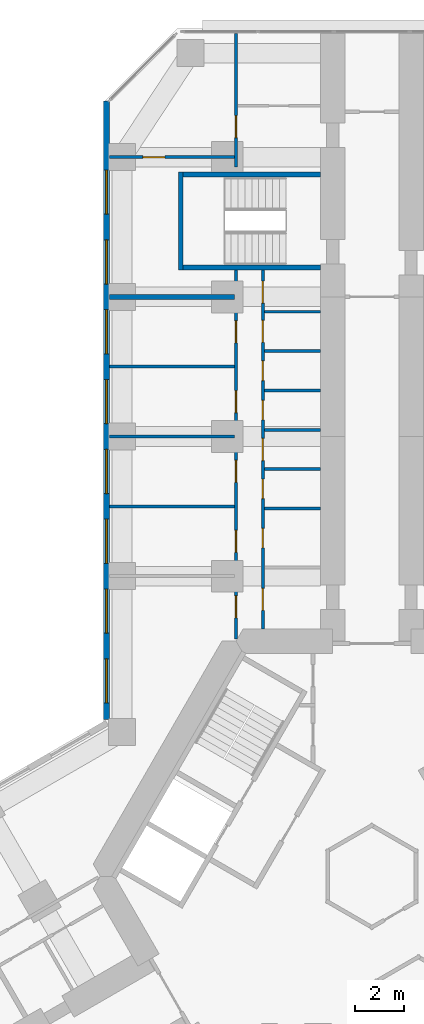
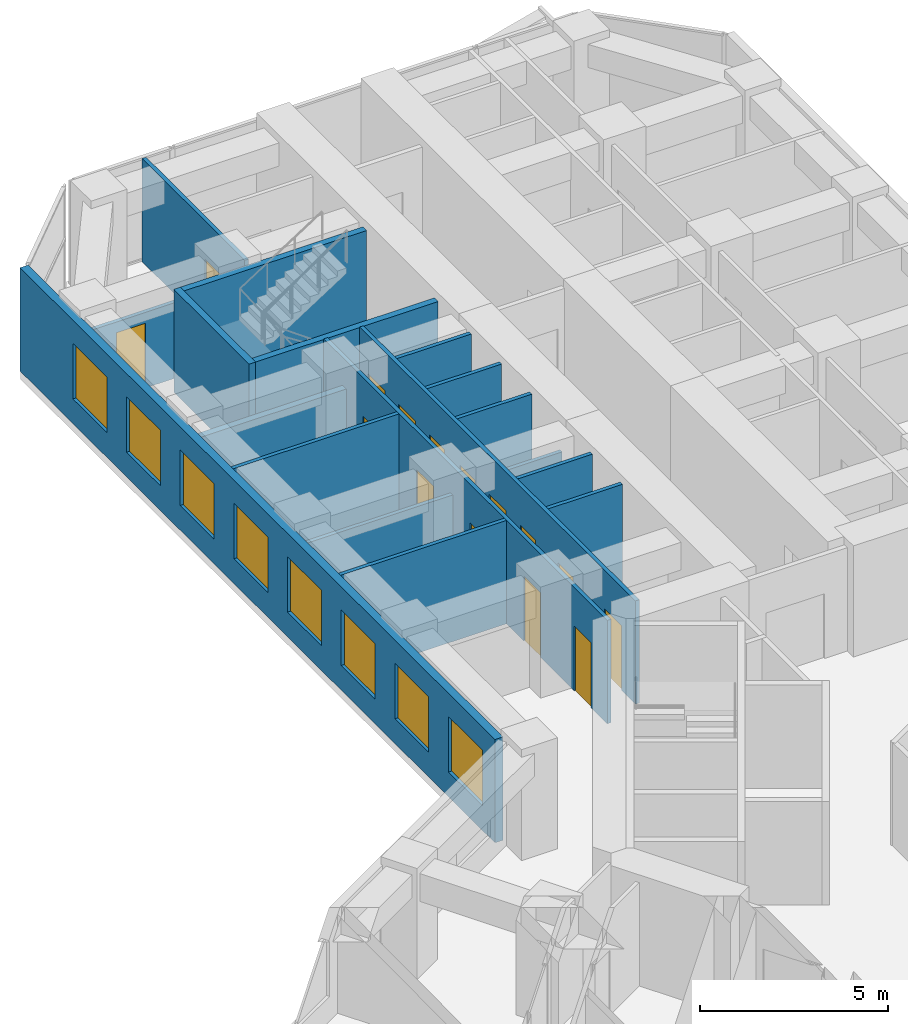
# One storey, part 17 of 21: 18 walls, 15 doors, 8 windows, 23 openings.
"""IFC4 building model written with IfcOpenShell, lengths in metres."""

from ifc_helpers import new_model, si_unit, direction, frame, frame_2d, origin, place, context, subcontext, project, spatial, rectangle, extrude, material, layer, layer_set, type_object, element, fill, save


model = new_model("IFC4")

# Units and contexts
model_context = context("Model", 3, precision=1e-05, world=origin(), true_north=direction((0.0, 1.0)))
body_context = subcontext(model_context, "Body", "Model", "MODEL_VIEW")
ifc_project = project(units=[si_unit("LENGTHUNIT", "METRE"), si_unit("AREAUNIT", "SQUARE_METRE"), si_unit("VOLUMEUNIT", "CUBIC_METRE"), si_unit("PLANEANGLEUNIT", "RADIAN"), si_unit("MASSUNIT", "GRAM", prefix="KILO")], contexts=[model_context])

# Site, building, storey
site_placement = place(None, origin())
site = spatial("IfcSite", under=ifc_project, at=site_placement, CompositionType="ELEMENT")
building_placement = place(site_placement, origin())
building = spatial("IfcBuilding", under=site, at=building_placement, Name="Kosmar Iwan School Tower", CompositionType="ELEMENT")
storey_placement = place(building_placement, frame((0.0, 0.0, 43.0)))
storey = spatial("IfcBuildingStorey", under=building, at=storey_placement, Name="L09", CompositionType="ELEMENT", Elevation=43.0)

# Wall, openings, doors
ifc_material_1 = material(Name="Gypsum board on steel studs", Category="steel")
ifc_layer_1 = layer(ifc_material_1, 0.1201171875)
ifc_layer_set_1 = layer_set([ifc_layer_1], Name="Dwelling partition 120")
wall_type_1 = type_object("IfcWallType", Name="Dwelling partition 120", PredefinedType="PARTITIONING", material=ifc_layer_set_1)
wall_1_placement = place(storey_placement, frame((-4.449951171875, 10.10009765625, 0.0), z_axis=(0.0, 0.0, 1.0), x_axis=(0.0, 1.0, 0.0)))
wall_1 = element("IfcWall", 1, at=wall_1_placement, inside=storey, type_object=wall_type_1, Name="Partition L09-AL1-W1", PredefinedType="PARTITIONING", context=body_context, shape_type="SweptSolid", body=[
    extrude(rectangle(XDim=14.64990234375, YDim=0.1201171875, at=frame_2d((7.324951171875, 0.0))), origin(), (0.0, 0.0, 1.0), 3.35009765625),
])
opening_1_placement = place(wall_1_placement, frame((0.75, 0.0, 0.0)))
opening_1 = element("IfcOpeningElement", 2, at=opening_1_placement, cuts=wall_1, Name="Opening D2", PredefinedType="OPENING", context=body_context, shape_type="SweptSolid", body=[
    extrude(rectangle(XDim=0.89990234375, YDim=2.10009765625, at=frame_2d((0.449951171875, 1.050048828125))), frame((0.0, 0.072021484375, 0.0), z_axis=(0.0, -1.0, 0.0), x_axis=(1.0, 0.0, 0.0)), (0.0, 0.0, 1.0), 0.14404296875),
])
opening_2_placement = place(wall_1_placement, frame((3.304931640625, 0.0, 0.0)))
opening_2 = element("IfcOpeningElement", 3, at=opening_2_placement, cuts=wall_1, Name="Opening D3", PredefinedType="OPENING", context=body_context, shape_type="SweptSolid", body=[
    extrude(rectangle(XDim=0.800048828125, YDim=2.10009765625, at=frame_2d((0.39990234375, 1.050048828125))), frame((0.0, 0.072021484375, 0.0), z_axis=(0.0, -1.0, 0.0), x_axis=(1.0, 0.0, 0.0)), (0.0, 0.0, 1.0), 0.14404296875),
])
opening_3_placement = place(wall_1_placement, frame((5.313232421875, 0.0, 0.0)))
opening_3 = element("IfcOpeningElement", 4, at=opening_3_placement, cuts=wall_1, Name="Opening D3", PredefinedType="OPENING", context=body_context, shape_type="SweptSolid", body=[
    extrude(rectangle(XDim=0.800048828125, YDim=2.10009765625, at=frame_2d((0.39990234375, 1.050048828125))), frame((0.0, 0.072021484375, 0.0), z_axis=(0.0, -1.0, 0.0), x_axis=(1.0, 0.0, 0.0)), (0.0, 0.0, 1.0), 0.14404296875),
])
opening_4_placement = place(wall_1_placement, frame((6.8701171875, 0.0, 0.0)))
opening_4 = element("IfcOpeningElement", 5, at=opening_4_placement, cuts=wall_1, Name="Opening D2", PredefinedType="OPENING", context=body_context, shape_type="SweptSolid", body=[
    extrude(rectangle(XDim=0.89990234375, YDim=2.10009765625, at=frame_2d((0.449951171875, 1.050048828125))), frame((0.0, 0.072021484375, 0.0), z_axis=(0.0, -1.0, 0.0), x_axis=(1.0, 0.0, 0.0)), (0.0, 0.0, 1.0), 0.14404296875),
])
opening_5_placement = place(wall_1_placement, frame((8.526611328125, 0.0, 0.0)))
opening_5 = element("IfcOpeningElement", 6, at=opening_5_placement, cuts=wall_1, Name="Opening D3", PredefinedType="OPENING", context=body_context, shape_type="SweptSolid", body=[
    extrude(rectangle(XDim=0.800048828125, YDim=2.10009765625, at=frame_2d((0.39990234375, 1.050048828125))), frame((0.0, 0.072021484375, 0.0), z_axis=(0.0, -1.0, 0.0), x_axis=(1.0, 0.0, 0.0)), (0.0, 0.0, 1.0), 0.14404296875),
])
opening_6_placement = place(wall_1_placement, frame((10.13330078125, 0.0, 0.0)))
opening_6 = element("IfcOpeningElement", 7, at=opening_6_placement, cuts=wall_1, Name="Opening D3", PredefinedType="OPENING", context=body_context, shape_type="SweptSolid", body=[
    extrude(rectangle(XDim=0.800048828125, YDim=2.10009765625, at=frame_2d((0.39990234375, 1.050048828125))), frame((0.0, 0.072021484375, 0.0), z_axis=(0.0, -1.0, 0.0), x_axis=(1.0, 0.0, 0.0)), (0.0, 0.0, 1.0), 0.14404296875),
])
opening_7_placement = place(wall_1_placement, frame((11.68994140625, 0.0, 0.0)))
opening_7 = element("IfcOpeningElement", 8, at=opening_7_placement, cuts=wall_1, Name="Opening D2", PredefinedType="OPENING", context=body_context, shape_type="SweptSolid", body=[
    extrude(rectangle(XDim=0.89990234375, YDim=2.10009765625, at=frame_2d((0.449951171875, 1.050048828125))), frame((0.0, 0.072021484375, 0.0), z_axis=(0.0, -1.0, 0.0), x_axis=(1.0, 0.0, 0.0)), (0.0, 0.0, 1.0), 0.14404296875),
])
opening_8_placement = place(wall_1_placement, frame((13.296630859375, 0.0, 0.0)))
opening_8 = element("IfcOpeningElement", 9, at=opening_8_placement, cuts=wall_1, Name="Opening D2", PredefinedType="OPENING", context=body_context, shape_type="SweptSolid", body=[
    extrude(rectangle(XDim=0.89990234375, YDim=2.10009765625, at=frame_2d((0.449951171875, 1.050048828125))), frame((0.0, 0.072021484375, 0.0), z_axis=(0.0, -1.0, 0.0), x_axis=(1.0, 0.0, 0.0)), (0.0, 0.0, 1.0), 0.14404296875),
])
ifc_material_2 = material(Name="Timber door in timber frame", Category="wood")
door_type_1 = type_object("IfcDoorType", Name="Internal door 900x2100", OperationType="SINGLE_SWING_LEFT", PredefinedType="DOOR", material=ifc_material_2)
door_1_placement = place(opening_1_placement, origin())
door_1 = element("IfcDoor", 10, at=door_1_placement, inside=storey, type_object=door_type_1, Name="Entrance hall door L09-AL1-S1", OperationType="SINGLE_SWING_LEFT", OverallHeight=2.10009765625, OverallWidth=0.89990234375, PredefinedType="DOOR", context=body_context, shape_type="SweptSolid", body=[
    extrude(rectangle(XDim=0.89990234375, YDim=2.10009765625, at=frame_2d((0.449951171875, 1.050048828125))), frame((0.0, 0.02490234375, 0.0), z_axis=(0.0, -1.0, 0.0), x_axis=(1.0, 0.0, 0.0)), (0.0, 0.0, 1.0), 0.050048828125),
])
fill(opening_1, door_1)
door_2_placement = place(opening_4_placement, frame((0.89990234375, 0.0, 0.0), z_axis=(0.0, 0.0, 1.0), x_axis=(-1.0, 0.0, 0.0)))
door_2 = element("IfcDoor", 11, at=door_2_placement, inside=storey, type_object=door_type_1, Name="Pantry door L09-AL1-S4", OperationType="SINGLE_SWING_LEFT", OverallHeight=2.10009765625, OverallWidth=0.89990234375, PredefinedType="DOOR", context=body_context, shape_type="SweptSolid", body=[
    extrude(rectangle(XDim=0.89990234375, YDim=2.10009765625, at=frame_2d((0.449951171875, 1.050048828125))), frame((0.0, 0.02490234375, 0.0), z_axis=(0.0, -1.0, 0.0), x_axis=(1.0, 0.0, 0.0)), (0.0, 0.0, 1.0), 0.050048828125),
])
fill(opening_4, door_2)
door_3_placement = place(opening_7_placement, origin())
door_3 = element("IfcDoor", 12, at=door_3_placement, inside=storey, type_object=door_type_1, Name="Utility room door L09-AL1-S7", OperationType="SINGLE_SWING_RIGHT", OverallHeight=2.10009765625, OverallWidth=0.89990234375, PredefinedType="DOOR", context=body_context, shape_type="SweptSolid", body=[
    extrude(rectangle(XDim=0.89990234375, YDim=2.10009765625, at=frame_2d((0.449951171875, 1.050048828125))), frame((0.0, 0.02490234375, 0.0), z_axis=(0.0, -1.0, 0.0), x_axis=(1.0, 0.0, 0.0)), (0.0, 0.0, 1.0), 0.050048828125),
])
fill(opening_7, door_3)
door_4_placement = place(opening_8_placement, frame((0.89990234375, 0.0, 0.0), z_axis=(0.0, 0.0, 1.0), x_axis=(-1.0, 0.0, 0.0)))
door_4 = element("IfcDoor", 13, at=door_4_placement, inside=storey, type_object=door_type_1, Name="Dressing room door L09-AL1-S8", OperationType="SINGLE_SWING_LEFT", OverallHeight=2.10009765625, OverallWidth=0.89990234375, PredefinedType="DOOR", context=body_context, shape_type="SweptSolid", body=[
    extrude(rectangle(XDim=0.89990234375, YDim=2.10009765625, at=frame_2d((0.449951171875, 1.050048828125))), frame((0.0, 0.02490234375, 0.0), z_axis=(0.0, -1.0, 0.0), x_axis=(1.0, 0.0, 0.0)), (0.0, 0.0, 1.0), 0.050048828125),
])
fill(opening_8, door_4)
ifc_material_3 = material(Name="Timber door in timber frame", Category="wood")
door_type_2 = type_object("IfcDoorType", Name="Sanitary room door 800x2100", OperationType="SINGLE_SWING_LEFT", PredefinedType="DOOR", material=ifc_material_3)
door_5_placement = place(opening_2_placement, origin())
door_5 = element("IfcDoor", 14, at=door_5_placement, inside=storey, type_object=door_type_2, Name="Bathroom door L09-AL1-S2", OperationType="SINGLE_SWING_LEFT", OverallHeight=2.10009765625, OverallWidth=0.800048828125, PredefinedType="DOOR", context=body_context, shape_type="SweptSolid", body=[
    extrude(rectangle(XDim=0.800048828125, YDim=2.10009765625, at=frame_2d((0.39990234375, 1.050048828125))), frame((0.0, 0.02490234375, 0.0), z_axis=(0.0, -1.0, 0.0), x_axis=(1.0, 0.0, 0.0)), (0.0, 0.0, 1.0), 0.050048828125),
])
fill(opening_2, door_5)
door_6_placement = place(opening_3_placement, origin())
door_6 = element("IfcDoor", 15, at=door_6_placement, inside=storey, type_object=door_type_2, Name="Shower room door L09-AL1-S3", OperationType="SINGLE_SWING_LEFT", OverallHeight=2.10009765625, OverallWidth=0.800048828125, PredefinedType="DOOR", context=body_context, shape_type="SweptSolid", body=[
    extrude(rectangle(XDim=0.800048828125, YDim=2.10009765625, at=frame_2d((0.39990234375, 1.050048828125))), frame((0.0, 0.02490234375, 0.0), z_axis=(0.0, -1.0, 0.0), x_axis=(1.0, 0.0, 0.0)), (0.0, 0.0, 1.0), 0.050048828125),
])
fill(opening_3, door_6)
door_7_placement = place(opening_5_placement, origin())
door_7 = element("IfcDoor", 16, at=door_7_placement, inside=storey, type_object=door_type_2, Name="WC door L09-AL1-S5", OperationType="SINGLE_SWING_RIGHT", OverallHeight=2.10009765625, OverallWidth=0.800048828125, PredefinedType="DOOR", context=body_context, shape_type="SweptSolid", body=[
    extrude(rectangle(XDim=0.800048828125, YDim=2.10009765625, at=frame_2d((0.39990234375, 1.050048828125))), frame((0.0, 0.02490234375, 0.0), z_axis=(0.0, -1.0, 0.0), x_axis=(1.0, 0.0, 0.0)), (0.0, 0.0, 1.0), 0.050048828125),
])
fill(opening_5, door_7)
door_8_placement = place(opening_6_placement, origin())
door_8 = element("IfcDoor", 17, at=door_8_placement, inside=storey, type_object=door_type_2, Name="Store door L09-AL1-S6", OperationType="SINGLE_SWING_RIGHT", OverallHeight=2.10009765625, OverallWidth=0.800048828125, PredefinedType="DOOR", context=body_context, shape_type="SweptSolid", body=[
    extrude(rectangle(XDim=0.800048828125, YDim=2.10009765625, at=frame_2d((0.39990234375, 1.050048828125))), frame((0.0, 0.02490234375, 0.0), z_axis=(0.0, -1.0, 0.0), x_axis=(1.0, 0.0, 0.0)), (0.0, 0.0, 1.0), 0.050048828125),
])
fill(opening_6, door_8)

wall_2_placement = place(storey_placement, frame((-5.550048828125, 9.69091796875, 0.0), z_axis=(0.0, 0.0, 1.0), x_axis=(0.0, 1.0, 0.0)))
wall_2 = element("IfcWall", 18, at=wall_2_placement, inside=storey, type_object=wall_type_1, Name="Partition L09-AL1-W2", PredefinedType="PARTITIONING", context=body_context, shape_type="SweptSolid", body=[
    extrude(rectangle(XDim=15.05908203125, YDim=0.1201171875, at=frame_2d((7.529541015625, 0.0))), origin(), (0.0, 0.0, 1.0), 3.35009765625),
])
opening_9_placement = place(wall_2_placement, frame((0.85888671875, 0.0, 0.0)))
opening_9 = element("IfcOpeningElement", 19, at=opening_9_placement, cuts=wall_2, Name="Opening D2", PredefinedType="OPENING", context=body_context, shape_type="SweptSolid", body=[
    extrude(rectangle(XDim=0.89990234375, YDim=2.10009765625, at=frame_2d((0.449951171875, 1.050048828125))), frame((0.0, 0.072021484375, 0.0), z_axis=(0.0, -1.0, 0.0), x_axis=(1.0, 0.0, 0.0)), (0.0, 0.0, 1.0), 0.14404296875),
])
opening_10_placement = place(wall_2_placement, frame((3.533935546875, 0.0, 0.0)))
opening_10 = element("IfcOpeningElement", 20, at=opening_10_placement, cuts=wall_2, Name="Opening D2", PredefinedType="OPENING", context=body_context, shape_type="SweptSolid", body=[
    extrude(rectangle(XDim=0.89990234375, YDim=2.10009765625, at=frame_2d((0.449951171875, 1.050048828125))), frame((0.0, 0.072021484375, 0.0), z_axis=(0.0, -1.0, 0.0), x_axis=(1.0, 0.0, 0.0)), (0.0, 0.0, 1.0), 0.14404296875),
])
opening_11_placement = place(wall_2_placement, frame((6.384033203125, 0.0, 0.0)))
opening_11 = element("IfcOpeningElement", 21, at=opening_11_placement, cuts=wall_2, Name="Opening D2", PredefinedType="OPENING", context=body_context, shape_type="SweptSolid", body=[
    extrude(rectangle(XDim=0.89990234375, YDim=2.10009765625, at=frame_2d((0.449951171875, 1.050048828125))), frame((0.0, 0.072021484375, 0.0), z_axis=(0.0, -1.0, 0.0), x_axis=(1.0, 0.0, 0.0)), (0.0, 0.0, 1.0), 0.14404296875),
])
opening_12_placement = place(wall_2_placement, frame((9.23388671875, 0.0, 0.0)))
opening_12 = element("IfcOpeningElement", 22, at=opening_12_placement, cuts=wall_2, Name="Opening D2", PredefinedType="OPENING", context=body_context, shape_type="SweptSolid", body=[
    extrude(rectangle(XDim=0.89990234375, YDim=2.10009765625, at=frame_2d((0.449951171875, 1.050048828125))), frame((0.0, 0.072021484375, 0.0), z_axis=(0.0, -1.0, 0.0), x_axis=(1.0, 0.0, 0.0)), (0.0, 0.0, 1.0), 0.14404296875),
])
opening_13_placement = place(wall_2_placement, frame((12.083984375, 0.0, 0.0)))
opening_13 = element("IfcOpeningElement", 23, at=opening_13_placement, cuts=wall_2, Name="Opening D2", PredefinedType="OPENING", context=body_context, shape_type="SweptSolid", body=[
    extrude(rectangle(XDim=0.89990234375, YDim=2.10009765625, at=frame_2d((0.449951171875, 1.050048828125))), frame((0.0, 0.072021484375, 0.0), z_axis=(0.0, -1.0, 0.0), x_axis=(1.0, 0.0, 0.0)), (0.0, 0.0, 1.0), 0.14404296875),
])
door_9_placement = place(opening_9_placement, origin())
door_9 = element("IfcDoor", 24, at=door_9_placement, inside=storey, type_object=door_type_1, Name="Living room and kitchen door L09-AL1-F1", OperationType="SINGLE_SWING_LEFT", OverallHeight=2.10009765625, OverallWidth=0.89990234375, PredefinedType="DOOR", context=body_context, shape_type="SweptSolid", body=[
    extrude(rectangle(XDim=0.89990234375, YDim=2.10009765625, at=frame_2d((0.449951171875, 1.050048828125))), frame((0.0, 0.02490234375, 0.0), z_axis=(0.0, -1.0, 0.0), x_axis=(1.0, 0.0, 0.0)), (0.0, 0.0, 1.0), 0.050048828125),
])
fill(opening_9, door_9)
door_10_placement = place(opening_10_placement, origin())
door_10 = element("IfcDoor", 25, at=door_10_placement, inside=storey, type_object=door_type_1, Name="Study door L09-AL1-F2", OperationType="SINGLE_SWING_RIGHT", OverallHeight=2.10009765625, OverallWidth=0.89990234375, PredefinedType="DOOR", context=body_context, shape_type="SweptSolid", body=[
    extrude(rectangle(XDim=0.89990234375, YDim=2.10009765625, at=frame_2d((0.449951171875, 1.050048828125))), frame((0.0, 0.02490234375, 0.0), z_axis=(0.0, -1.0, 0.0), x_axis=(1.0, 0.0, 0.0)), (0.0, 0.0, 1.0), 0.050048828125),
])
fill(opening_10, door_10)
door_11_placement = place(opening_11_placement, origin())
door_11 = element("IfcDoor", 26, at=door_11_placement, inside=storey, type_object=door_type_1, Name="Bedroom 2 door L09-AL1-F3", OperationType="SINGLE_SWING_LEFT", OverallHeight=2.10009765625, OverallWidth=0.89990234375, PredefinedType="DOOR", context=body_context, shape_type="SweptSolid", body=[
    extrude(rectangle(XDim=0.89990234375, YDim=2.10009765625, at=frame_2d((0.449951171875, 1.050048828125))), frame((0.0, 0.02490234375, 0.0), z_axis=(0.0, -1.0, 0.0), x_axis=(1.0, 0.0, 0.0)), (0.0, 0.0, 1.0), 0.050048828125),
])
fill(opening_11, door_11)
door_12_placement = place(opening_12_placement, origin())
door_12 = element("IfcDoor", 27, at=door_12_placement, inside=storey, type_object=door_type_1, Name="Study door L09-AL1-F4", OperationType="SINGLE_SWING_RIGHT", OverallHeight=2.10009765625, OverallWidth=0.89990234375, PredefinedType="DOOR", context=body_context, shape_type="SweptSolid", body=[
    extrude(rectangle(XDim=0.89990234375, YDim=2.10009765625, at=frame_2d((0.449951171875, 1.050048828125))), frame((0.0, 0.02490234375, 0.0), z_axis=(0.0, -1.0, 0.0), x_axis=(1.0, 0.0, 0.0)), (0.0, 0.0, 1.0), 0.050048828125),
])
fill(opening_12, door_12)
door_13_placement = place(opening_13_placement, origin())
door_13 = element("IfcDoor", 28, at=door_13_placement, inside=storey, type_object=door_type_1, Name="Bedroom 1 door L09-AL1-F5", OperationType="SINGLE_SWING_LEFT", OverallHeight=2.10009765625, OverallWidth=0.89990234375, PredefinedType="DOOR", context=body_context, shape_type="SweptSolid", body=[
    extrude(rectangle(XDim=0.89990234375, YDim=2.10009765625, at=frame_2d((0.449951171875, 1.050048828125))), frame((0.0, 0.02490234375, 0.0), z_axis=(0.0, -1.0, 0.0), x_axis=(1.0, 0.0, 0.0)), (0.0, 0.0, 1.0), 0.050048828125),
])
fill(opening_13, door_13)

# Walls
wall_3_placement = place(storey_placement, frame((-5.610107421875, 15.10009765625, 0.0), z_axis=(0.0, 0.0, 1.0), x_axis=(-1.0, 0.0, 0.0)))
element("IfcWall", 29, at=wall_3_placement, inside=storey, type_object=wall_type_1, Name="Partition L09-AL1-X2", PredefinedType="PARTITIONING", context=body_context, shape_type="SweptSolid", body=[
    extrude(rectangle(XDim=5.08984375, YDim=0.1201171875, at=frame_2d((2.544921875, 0.0))), origin(), (0.0, 0.0, 1.0), 3.35009765625),
])
wall_4_placement = place(storey_placement, frame((-5.610107421875, 17.949951171875, 0.0), z_axis=(0.0, 0.0, 1.0), x_axis=(-1.0, 0.0, 0.0)))
element("IfcWall", 30, at=wall_4_placement, inside=storey, type_object=wall_type_1, Name="Partition L09-AL1-X3", PredefinedType="PARTITIONING", context=body_context, shape_type="SweptSolid", body=[
    extrude(rectangle(XDim=5.08984375, YDim=0.1201171875, at=frame_2d((2.544921875, 0.0))), origin(), (0.0, 0.0, 1.0), 2.449951171875),
])
wall_5_placement = place(storey_placement, frame((-5.610107421875, 20.800048828125, 0.0), z_axis=(0.0, 0.0, 1.0), x_axis=(-1.0, 0.0, 0.0)))
element("IfcWall", 31, at=wall_5_placement, inside=storey, type_object=wall_type_1, Name="Partition L09-AL1-X4", PredefinedType="PARTITIONING", context=body_context, shape_type="SweptSolid", body=[
    extrude(rectangle(XDim=5.08984375, YDim=0.1201171875, at=frame_2d((2.544921875, 0.0))), origin(), (0.0, 0.0, 1.0), 3.35009765625),
])
for number, where, z_axis, x_axis, name in (
    (32, (-2.10009765625, 15.010009765625, 0.0), (0.0, 0.0, 1.0), (-1.0, 0.0, 0.0), "Partition L09-AL1-Y2"),
    (33, (-2.10009765625, 16.61669921875, 0.0), (0.0, 0.0, 1.0), (-1.0, 0.0, 0.0), "Partition L09-AL1-Y3"),
):
    element("IfcWall", number, at=place(storey_placement, frame(where, z_axis=z_axis, x_axis=x_axis)), inside=storey, type_object=wall_type_1, Name=name, PredefinedType="PARTITIONING", context=body_context, shape_type="SweptSolid", body=[
        extrude(rectangle(XDim=2.289794921875, YDim=0.1201171875, at=frame_2d((1.14501953125, 0.0))), origin(), (0.0, 0.0, 1.0), 3.35009765625),
    ])
wall_6_placement = place(storey_placement, frame((-2.10009765625, 18.223388671875, 0.0), z_axis=(0.0, 0.0, 1.0), x_axis=(-1.0, 0.0, 0.0)))
element("IfcWall", 34, at=wall_6_placement, inside=storey, type_object=wall_type_1, Name="Partition L09-AL1-Y4", PredefinedType="PARTITIONING", context=body_context, shape_type="SweptSolid", body=[
    extrude(rectangle(XDim=2.289794921875, YDim=0.1201171875, at=frame_2d((1.14501953125, 0.0))), origin(), (0.0, 0.0, 1.0), 2.449951171875),
])
for number, where, z_axis, x_axis, name in (
    (35, (-2.10009765625, 19.830078125, 0.0), (0.0, 0.0, 1.0), (-1.0, 0.0, 0.0), "Partition L09-AL1-Y5"),
    (36, (-2.10009765625, 21.436767578125, 0.0), (0.0, 0.0, 1.0), (-1.0, 0.0, 0.0), "Partition L09-AL1-Y6"),
    (37, (-2.10009765625, 23.043212890625, 0.0), (0.0, 0.0, 1.0), (-1.0, 0.0, 0.0), "Partition L09-AL1-Y7"),
):
    element("IfcWall", number, at=place(storey_placement, frame(where, z_axis=z_axis, x_axis=x_axis)), inside=storey, type_object=wall_type_1, Name=name, PredefinedType="PARTITIONING", context=body_context, shape_type="SweptSolid", body=[
        extrude(rectangle(XDim=2.289794921875, YDim=0.1201171875, at=frame_2d((1.14501953125, 0.0))), origin(), (0.0, 0.0, 1.0), 3.35009765625),
    ])

# Wall, opening, door
wall_7_placement = place(storey_placement, frame((-5.610107421875, 29.35009765625, 0.0), z_axis=(0.0, 0.0, 1.0), x_axis=(-1.0, 0.0, 0.0)))
wall_7 = element("IfcWall", 38, at=wall_7_placement, inside=storey, type_object=wall_type_1, Name="Partition L09-AL2-TX", PredefinedType="PARTITIONING", context=body_context, shape_type="SweptSolid", body=[
    extrude(rectangle(XDim=5.08984375, YDim=0.1201171875, at=frame_2d((2.544921875, 0.0))), origin(), (0.0, 0.0, 1.0), 2.449951171875),
])
opening_14_placement = place(wall_7_placement, frame((2.840087890625, 0.0, 0.0)))
opening_14 = element("IfcOpeningElement", 39, at=opening_14_placement, cuts=wall_7, Name="Opening D2", PredefinedType="OPENING", context=body_context, shape_type="SweptSolid", body=[
    extrude(rectangle(XDim=0.89990234375, YDim=2.10009765625, at=frame_2d((0.449951171875, 1.050048828125))), frame((0.0, 0.072021484375, 0.0), z_axis=(0.0, -1.0, 0.0), x_axis=(1.0, 0.0, 0.0)), (0.0, 0.0, 1.0), 0.14404296875),
])
door_14_placement = place(opening_14_placement, origin())
door_14 = element("IfcDoor", 40, at=door_14_placement, inside=storey, type_object=door_type_1, Name="Bedroom 1 door L09-AL2-T1", OperationType="SINGLE_SWING_RIGHT", OverallHeight=2.10009765625, OverallWidth=0.89990234375, PredefinedType="DOOR", context=body_context, shape_type="SweptSolid", body=[
    extrude(rectangle(XDim=0.89990234375, YDim=2.10009765625, at=frame_2d((0.449951171875, 1.050048828125))), frame((0.0, 0.02490234375, 0.0), z_axis=(0.0, -1.0, 0.0), x_axis=(1.0, 0.0, 0.0)), (0.0, 0.0, 1.0), 0.050048828125),
])
fill(opening_14, door_14)

wall_8_placement = place(storey_placement, frame((-5.550048828125, 28.949951171875, 0.0), z_axis=(0.0, 0.0, 1.0), x_axis=(0.0, 1.0, 0.0)))
wall_8 = element("IfcWall", 41, at=wall_8_placement, inside=storey, type_object=wall_type_1, Name="Partition L09-AL2-TW", PredefinedType="PARTITIONING", context=body_context, shape_type="SweptSolid", body=[
    extrude(rectangle(XDim=5.445068359375, YDim=0.1201171875, at=frame_2d((2.72265625, 0.0))), origin(), (0.0, 0.0, 1.0), 3.35009765625),
])
opening_15_placement = place(wall_8_placement, frame((1.199951171875, 0.0, 0.0)))
opening_15 = element("IfcOpeningElement", 42, at=opening_15_placement, cuts=wall_8, Name="Opening D2", PredefinedType="OPENING", context=body_context, shape_type="SweptSolid", body=[
    extrude(rectangle(XDim=0.89990234375, YDim=2.10009765625, at=frame_2d((0.449951171875, 1.050048828125))), frame((0.0, 0.072021484375, 0.0), z_axis=(0.0, -1.0, 0.0), x_axis=(1.0, 0.0, 0.0)), (0.0, 0.0, 1.0), 0.14404296875),
])
door_15_placement = place(opening_15_placement, origin())
door_15 = element("IfcDoor", 43, at=door_15_placement, inside=storey, type_object=door_type_1, Name="Entrance hall door L09-AL2-T3", OperationType="SINGLE_SWING_LEFT", OverallHeight=2.10009765625, OverallWidth=0.89990234375, PredefinedType="DOOR", context=body_context, shape_type="SweptSolid", body=[
    extrude(rectangle(XDim=0.89990234375, YDim=2.10009765625, at=frame_2d((0.449951171875, 1.050048828125))), frame((0.0, 0.02490234375, 0.0), z_axis=(0.0, -1.0, 0.0), x_axis=(1.0, 0.0, 0.0)), (0.0, 0.0, 1.0), 0.050048828125),
])
fill(opening_15, door_15)

# Walls
ifc_material_4 = material(Name="Concrete C35/45", Category="concrete")
ifc_layer_2 = layer(ifc_material_4, 0.199951171875)
ifc_layer_set_2 = layer_set([ifc_layer_2], Name="Escape stair wall 200")
wall_type_2 = type_object("IfcWallType", Name="Escape stair wall 200", PredefinedType="SHEAR", material=ifc_layer_set_2)
for number, where, z_axis, x_axis, name in (
    (44, (-2.10009765625, 24.85009765625, 0.0), (0.0, 0.0, 1.0), (-1.0, 0.0, 0.0), "Stair WS1 wall"),
    (45, (-2.10009765625, 28.64990234375, 0.0), (0.0, 0.0, 1.0), (-1.0, 0.0, 0.0), "Stair WS1 wall"),
):
    element("IfcWall", number, at=place(storey_placement, frame(where, z_axis=z_axis, x_axis=x_axis)), inside=storey, type_object=wall_type_2, Name=name, PredefinedType="SHEAR", context=body_context, shape_type="SweptSolid", body=[
        extrude(rectangle(XDim=5.7998046875, YDim=0.199951171875, at=frame_2d((2.89990234375, 0.0))), origin(), (0.0, 0.0, 1.0), 3.330078125),
    ])
wall_9_placement = place(storey_placement, frame((-7.800048828125, 24.75, 0.0), z_axis=(0.0, 0.0, 1.0), x_axis=(0.0, 1.0, 0.0)))
element("IfcWall", 46, at=wall_9_placement, inside=storey, type_object=wall_type_2, Name="Stair WS1 wall", PredefinedType="SHEAR", context=body_context, shape_type="SweptSolid", body=[
    extrude(rectangle(XDim=4.0, YDim=0.199951171875, at=frame_2d((2.0, 0.0))), origin(), (0.0, 0.0, 1.0), 3.330078125),
])

# Wall, openings, windows
ifc_material_5 = material(Name="Black aluminium rainscreen on insulated framing", Category="aluminium")
ifc_layer_3 = layer(ifc_material_5, 0.25)
ifc_layer_set_3 = layer_set([ifc_layer_3], Name="External wall rainscreen 250")
wall_type_3 = type_object("IfcWallType", Name="External wall rainscreen 250", PredefinedType="SOLIDWALL", material=ifc_layer_set_3)
wall_10_placement = place(storey_placement, frame((-10.824951171875, 6.408935546875, 0.0), z_axis=(0.0, 0.0, 1.0), x_axis=(0.0, 1.0, 0.0)))
wall_10 = element("IfcWall", 47, at=wall_10_placement, inside=storey, type_object=wall_type_3, Name="External wall AL L09", PredefinedType="SOLIDWALL", context=body_context, shape_type="SweptSolid", body=[
    extrude(rectangle(XDim=25.226318359375, YDim=0.25, at=frame_2d((12.61328125, 0.0))), origin(), (0.0, 0.0, 1.0), 3.35009765625),
])
opening_16_placement = place(wall_10_placement, frame((0.666015625, 0.0, 0.800048828125)))
opening_16 = element("IfcOpeningElement", 48, at=opening_16_placement, cuts=wall_10, Name="Opening W1", PredefinedType="OPENING", context=body_context, shape_type="SweptSolid", body=[
    extrude(rectangle(XDim=1.800048828125, YDim=1.800048828125, at=frame_2d((0.89990234375, 0.89990234375))), frame((0.0, 0.136962890625, 0.0), z_axis=(0.0, -1.0, 0.0), x_axis=(1.0, 0.0, 0.0)), (0.0, 0.0, 1.0), 0.27392578125),
])
opening_17_placement = place(wall_10_placement, frame((3.51611328125, 0.0, 0.800048828125)))
opening_17 = element("IfcOpeningElement", 49, at=opening_17_placement, cuts=wall_10, Name="Opening W1", PredefinedType="OPENING", context=body_context, shape_type="SweptSolid", body=[
    extrude(rectangle(XDim=1.800048828125, YDim=1.800048828125, at=frame_2d((0.89990234375, 0.89990234375))), frame((0.0, 0.136962890625, 0.0), z_axis=(0.0, -1.0, 0.0), x_axis=(1.0, 0.0, 0.0)), (0.0, 0.0, 1.0), 0.27392578125),
])
opening_18_placement = place(wall_10_placement, frame((6.365966796875, 0.0, 0.800048828125)))
opening_18 = element("IfcOpeningElement", 50, at=opening_18_placement, cuts=wall_10, Name="Opening W1", PredefinedType="OPENING", context=body_context, shape_type="SweptSolid", body=[
    extrude(rectangle(XDim=1.800048828125, YDim=1.800048828125, at=frame_2d((0.89990234375, 0.89990234375))), frame((0.0, 0.136962890625, 0.0), z_axis=(0.0, -1.0, 0.0), x_axis=(1.0, 0.0, 0.0)), (0.0, 0.0, 1.0), 0.27392578125),
])
opening_19_placement = place(wall_10_placement, frame((9.216064453125, 0.0, 0.800048828125)))
opening_19 = element("IfcOpeningElement", 51, at=opening_19_placement, cuts=wall_10, Name="Opening W1", PredefinedType="OPENING", context=body_context, shape_type="SweptSolid", body=[
    extrude(rectangle(XDim=1.800048828125, YDim=1.800048828125, at=frame_2d((0.89990234375, 0.89990234375))), frame((0.0, 0.136962890625, 0.0), z_axis=(0.0, -1.0, 0.0), x_axis=(1.0, 0.0, 0.0)), (0.0, 0.0, 1.0), 0.27392578125),
])
opening_20_placement = place(wall_10_placement, frame((12.06591796875, 0.0, 0.800048828125)))
opening_20 = element("IfcOpeningElement", 52, at=opening_20_placement, cuts=wall_10, Name="Opening W1", PredefinedType="OPENING", context=body_context, shape_type="SweptSolid", body=[
    extrude(rectangle(XDim=1.800048828125, YDim=1.800048828125, at=frame_2d((0.89990234375, 0.89990234375))), frame((0.0, 0.136962890625, 0.0), z_axis=(0.0, -1.0, 0.0), x_axis=(1.0, 0.0, 0.0)), (0.0, 0.0, 1.0), 0.27392578125),
])
opening_21_placement = place(wall_10_placement, frame((14.916015625, 0.0, 0.800048828125)))
opening_21 = element("IfcOpeningElement", 53, at=opening_21_placement, cuts=wall_10, Name="Opening W1", PredefinedType="OPENING", context=body_context, shape_type="SweptSolid", body=[
    extrude(rectangle(XDim=1.800048828125, YDim=1.800048828125, at=frame_2d((0.89990234375, 0.89990234375))), frame((0.0, 0.136962890625, 0.0), z_axis=(0.0, -1.0, 0.0), x_axis=(1.0, 0.0, 0.0)), (0.0, 0.0, 1.0), 0.27392578125),
])
opening_22_placement = place(wall_10_placement, frame((17.76611328125, 0.0, 0.800048828125)))
opening_22 = element("IfcOpeningElement", 54, at=opening_22_placement, cuts=wall_10, Name="Opening W1", PredefinedType="OPENING", context=body_context, shape_type="SweptSolid", body=[
    extrude(rectangle(XDim=1.800048828125, YDim=1.800048828125, at=frame_2d((0.89990234375, 0.89990234375))), frame((0.0, 0.136962890625, 0.0), z_axis=(0.0, -1.0, 0.0), x_axis=(1.0, 0.0, 0.0)), (0.0, 0.0, 1.0), 0.27392578125),
])
opening_23_placement = place(wall_10_placement, frame((20.615966796875, 0.0, 0.800048828125)))
opening_23 = element("IfcOpeningElement", 55, at=opening_23_placement, cuts=wall_10, Name="Opening W1", PredefinedType="OPENING", context=body_context, shape_type="SweptSolid", body=[
    extrude(rectangle(XDim=1.800048828125, YDim=1.800048828125, at=frame_2d((0.89990234375, 0.89990234375))), frame((0.0, 0.136962890625, 0.0), z_axis=(0.0, -1.0, 0.0), x_axis=(1.0, 0.0, 0.0)), (0.0, 0.0, 1.0), 0.27392578125),
])
ifc_material_6 = material(Name="Black aluminium frame with dark triple glazing", Category="aluminium")
window_type = type_object("IfcWindowType", Name="Window 1800x1800", PartitioningType="SINGLE_PANEL", PredefinedType="WINDOW", material=ifc_material_6)
window_1_placement = place(opening_16_placement, origin())
window_1 = element("IfcWindow", 56, at=window_1_placement, inside=storey, type_object=window_type, Name="Window AL L09 -1", OverallHeight=1.800048828125, OverallWidth=1.800048828125, PartitioningType="SINGLE_PANEL", PredefinedType="WINDOW", context=body_context, shape_type="SweptSolid", body=[
    extrude(rectangle(XDim=1.800048828125, YDim=1.800048828125, at=frame_2d((0.89990234375, 0.89990234375))), frame((0.0, 0.030029296875, 0.0), z_axis=(0.0, -1.0, 0.0), x_axis=(1.0, 0.0, 0.0)), (0.0, 0.0, 1.0), 0.06005859375),
])
fill(opening_16, window_1)
window_2_placement = place(opening_17_placement, origin())
window_2 = element("IfcWindow", 57, at=window_2_placement, inside=storey, type_object=window_type, Name="Window AL L09 0", OverallHeight=1.800048828125, OverallWidth=1.800048828125, PartitioningType="SINGLE_PANEL", PredefinedType="WINDOW", context=body_context, shape_type="SweptSolid", body=[
    extrude(rectangle(XDim=1.800048828125, YDim=1.800048828125, at=frame_2d((0.89990234375, 0.89990234375))), frame((0.0, 0.030029296875, 0.0), z_axis=(0.0, -1.0, 0.0), x_axis=(1.0, 0.0, 0.0)), (0.0, 0.0, 1.0), 0.06005859375),
])
fill(opening_17, window_2)
window_3_placement = place(opening_18_placement, origin())
window_3 = element("IfcWindow", 58, at=window_3_placement, inside=storey, type_object=window_type, Name="Window AL L09 1", OverallHeight=1.800048828125, OverallWidth=1.800048828125, PartitioningType="SINGLE_PANEL", PredefinedType="WINDOW", context=body_context, shape_type="SweptSolid", body=[
    extrude(rectangle(XDim=1.800048828125, YDim=1.800048828125, at=frame_2d((0.89990234375, 0.89990234375))), frame((0.0, 0.030029296875, 0.0), z_axis=(0.0, -1.0, 0.0), x_axis=(1.0, 0.0, 0.0)), (0.0, 0.0, 1.0), 0.06005859375),
])
fill(opening_18, window_3)
window_4_placement = place(opening_19_placement, origin())
window_4 = element("IfcWindow", 59, at=window_4_placement, inside=storey, type_object=window_type, Name="Window AL L09 2", OverallHeight=1.800048828125, OverallWidth=1.800048828125, PartitioningType="SINGLE_PANEL", PredefinedType="WINDOW", context=body_context, shape_type="SweptSolid", body=[
    extrude(rectangle(XDim=1.800048828125, YDim=1.800048828125, at=frame_2d((0.89990234375, 0.89990234375))), frame((0.0, 0.030029296875, 0.0), z_axis=(0.0, -1.0, 0.0), x_axis=(1.0, 0.0, 0.0)), (0.0, 0.0, 1.0), 0.06005859375),
])
fill(opening_19, window_4)
window_5_placement = place(opening_20_placement, origin())
window_5 = element("IfcWindow", 60, at=window_5_placement, inside=storey, type_object=window_type, Name="Window AL L09 3", OverallHeight=1.800048828125, OverallWidth=1.800048828125, PartitioningType="SINGLE_PANEL", PredefinedType="WINDOW", context=body_context, shape_type="SweptSolid", body=[
    extrude(rectangle(XDim=1.800048828125, YDim=1.800048828125, at=frame_2d((0.89990234375, 0.89990234375))), frame((0.0, 0.030029296875, 0.0), z_axis=(0.0, -1.0, 0.0), x_axis=(1.0, 0.0, 0.0)), (0.0, 0.0, 1.0), 0.06005859375),
])
fill(opening_20, window_5)
window_6_placement = place(opening_21_placement, origin())
window_6 = element("IfcWindow", 61, at=window_6_placement, inside=storey, type_object=window_type, Name="Window AL L09 4", OverallHeight=1.800048828125, OverallWidth=1.800048828125, PartitioningType="SINGLE_PANEL", PredefinedType="WINDOW", context=body_context, shape_type="SweptSolid", body=[
    extrude(rectangle(XDim=1.800048828125, YDim=1.800048828125, at=frame_2d((0.89990234375, 0.89990234375))), frame((0.0, 0.030029296875, 0.0), z_axis=(0.0, -1.0, 0.0), x_axis=(1.0, 0.0, 0.0)), (0.0, 0.0, 1.0), 0.06005859375),
])
fill(opening_21, window_6)
window_7_placement = place(opening_22_placement, origin())
window_7 = element("IfcWindow", 62, at=window_7_placement, inside=storey, type_object=window_type, Name="Window AL L09 5", OverallHeight=1.800048828125, OverallWidth=1.800048828125, PartitioningType="SINGLE_PANEL", PredefinedType="WINDOW", context=body_context, shape_type="SweptSolid", body=[
    extrude(rectangle(XDim=1.800048828125, YDim=1.800048828125, at=frame_2d((0.89990234375, 0.89990234375))), frame((0.0, 0.030029296875, 0.0), z_axis=(0.0, -1.0, 0.0), x_axis=(1.0, 0.0, 0.0)), (0.0, 0.0, 1.0), 0.06005859375),
])
fill(opening_22, window_7)
window_8_placement = place(opening_23_placement, origin())
window_8 = element("IfcWindow", 63, at=window_8_placement, inside=storey, type_object=window_type, Name="Window AL L09 6", OverallHeight=1.800048828125, OverallWidth=1.800048828125, PartitioningType="SINGLE_PANEL", PredefinedType="WINDOW", context=body_context, shape_type="SweptSolid", body=[
    extrude(rectangle(XDim=1.800048828125, YDim=1.800048828125, at=frame_2d((0.89990234375, 0.89990234375))), frame((0.0, 0.030029296875, 0.0), z_axis=(0.0, -1.0, 0.0), x_axis=(1.0, 0.0, 0.0)), (0.0, 0.0, 1.0), 0.06005859375),
])
fill(opening_23, window_8)

# Wall
ifc_material_7 = material(Name="Concrete block masonry", Category="masonry")
ifc_layer_4 = layer(ifc_material_7, 0.199951171875)
ifc_layer_set_4 = layer_set([ifc_layer_4], Name="Party wall 200")
wall_type_4 = type_object("IfcWallType", Name="Party wall 200", PredefinedType="PARTITIONING", material=ifc_layer_set_4)
wall_11_placement = place(storey_placement, frame((-5.610107421875, 23.64990234375, 0.0), z_axis=(0.0, 0.0, 1.0), x_axis=(-1.0, 0.0, 0.0)))
element("IfcWall", 64, at=wall_11_placement, inside=storey, type_object=wall_type_4, Name="Partition L09-AL2-TB", PredefinedType="PARTITIONING", context=body_context, shape_type="SweptSolid", body=[
    extrude(rectangle(XDim=5.08984375, YDim=0.199951171875, at=frame_2d((2.544921875, 0.0))), origin(), (0.0, 0.0, 1.0), 2.449951171875),
])

save(model, "model.ifc")
